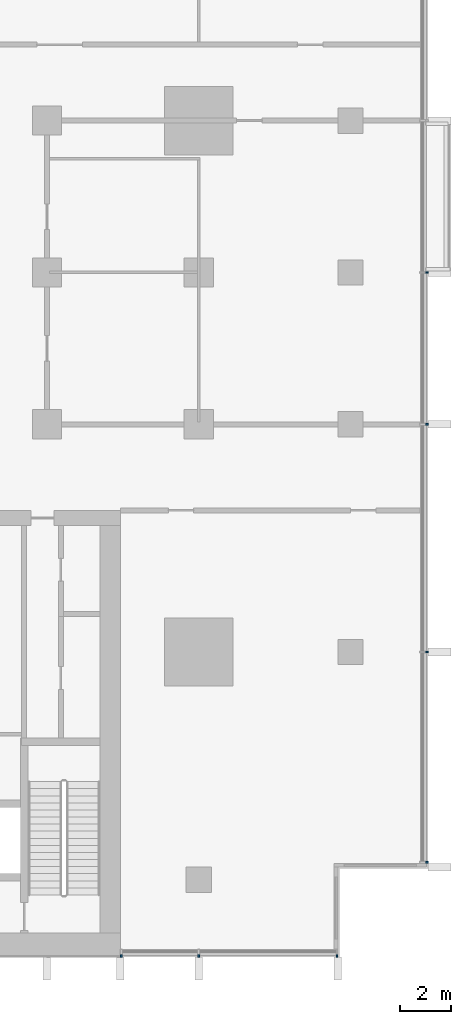
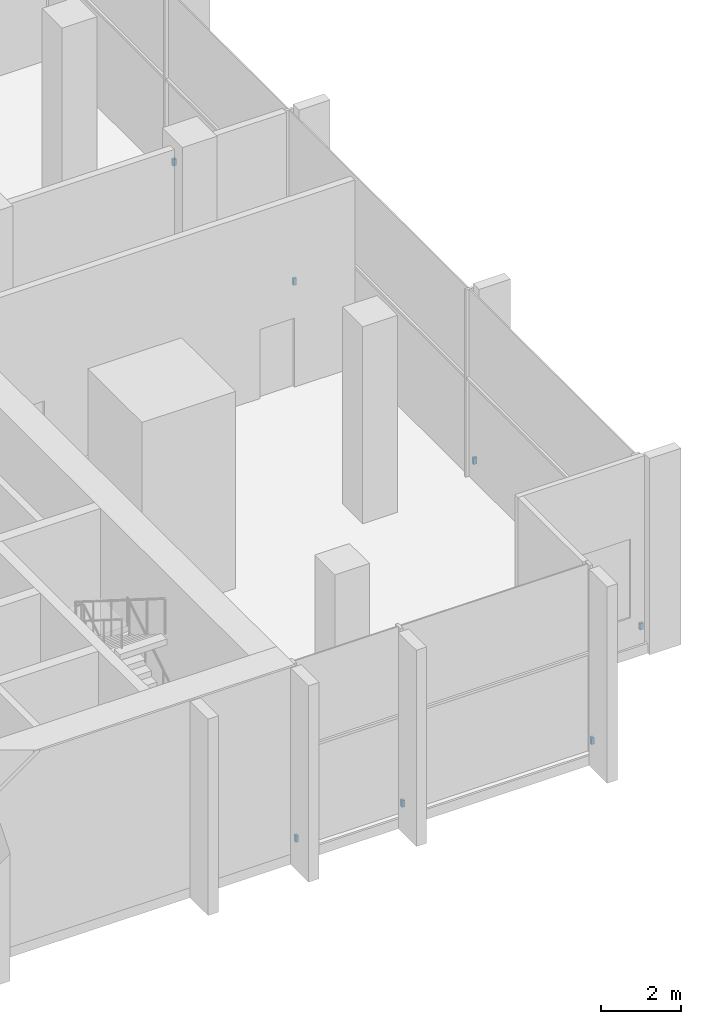
# One storey, part 12 of 16: 7 discrete accessories.
"""IFC4 building model written with IfcOpenShell, lengths in metres."""

from ifc_helpers import new_model, si_unit, direction, frame, origin, origin_2d, place, context, subcontext, project, spatial, rectangle, extrude, material, type_object, element, save


model = new_model("IFC4")

# Units and contexts
model_context = context("Model", 3, precision=1e-05, world=origin(), true_north=direction((0.0, 1.0)))
body_context = subcontext(model_context, "Body", "Model", "MODEL_VIEW")
ifc_project = project(units=[si_unit("LENGTHUNIT", "METRE"), si_unit("AREAUNIT", "SQUARE_METRE"), si_unit("VOLUMEUNIT", "CUBIC_METRE"), si_unit("PLANEANGLEUNIT", "RADIAN"), si_unit("MASSUNIT", "GRAM", prefix="KILO")], contexts=[model_context])

# Site, building, storey
site_placement = place(None, origin())
site = spatial("IfcSite", under=ifc_project, at=site_placement, CompositionType="ELEMENT")
building_placement = place(site_placement, origin())
building = spatial("IfcBuilding", under=site, at=building_placement, Name="Finial Court Residences", CompositionType="ELEMENT")
storey_placement = place(building_placement, frame((0.0, 0.0, 127.89990234375)))
storey = spatial("IfcBuildingStorey", under=building, at=storey_placement, Name="L32", CompositionType="ELEMENT", Elevation=127.89990234375)

# Discrete accessories
ifc_material = material(Name="Stainless steel 316", Category="steel")
discrete_accessory_type = type_object("IfcDiscreteAccessoryType", Name="Fin bracket, stainless steel 75 x 98 x 200", PredefinedType="BRACKET", material=ifc_material)
for number, where, z_axis, x_axis, name in (
    (1, (25.51123046875, -21.8125, 0.30029296875), (0.0, 0.0, 1.0), (1.0, 0.0, 0.0), "E-L32-FIN-E9-BRK"),
    (2, (25.51123046875, -13.5, 0.30029296875), (0.0, 0.0, 1.0), (1.0, 0.0, 0.0), "E-L32-FIN-E10-BRK"),
    (3, (25.51123046875, -4.5, 0.30029296875), (0.0, 0.0, 1.0), (1.0, 0.0, 0.0), "E-L32-FIN-E11-BRK"),
    (4, (25.51123046875, 1.5, 0.30029296875), (0.0, 0.0, 1.0), (1.0, 0.0, 0.0), "E-L32-FIN-E12-BRK"),
):
    element("IfcDiscreteAccessory", number, at=place(storey_placement, frame(where, z_axis=z_axis, x_axis=x_axis)), inside=storey, type_object=discrete_accessory_type, Name=name, PredefinedType="BRACKET", context=body_context, shape_type="SweptSolid", body=[
        extrude(rectangle(XDim=0.097412109375, YDim=0.074951171875, at=origin_2d()), origin(), (0.0, 0.0, 1.0), 0.199951171875),
    ])
for number, where, z_axis, x_axis, name in (
    (5, (13.4375, -25.51123046875, 0.30029296875), (0.0, 0.0, 1.0), (1.0, 0.0, 0.0), "E-L32-FIN-S23-BRK"),
    (6, (16.5, -25.51123046875, 0.30029296875), (0.0, 0.0, 1.0), (1.0, 0.0, 0.0), "E-L32-FIN-S24-BRK"),
    (7, (21.96240234375, -25.51123046875, 0.30029296875), (0.0, 0.0, 1.0), (1.0, 0.0, 0.0), "E-L32-FIN-S25-BRK"),
):
    element("IfcDiscreteAccessory", number, at=place(storey_placement, frame(where, z_axis=z_axis, x_axis=x_axis)), inside=storey, type_object=discrete_accessory_type, Name=name, PredefinedType="BRACKET", context=body_context, shape_type="SweptSolid", body=[
        extrude(rectangle(XDim=0.074951171875, YDim=0.097412109375, at=origin_2d()), origin(), (0.0, 0.0, 1.0), 0.199951171875),
    ])

save(model, "model.ifc")
